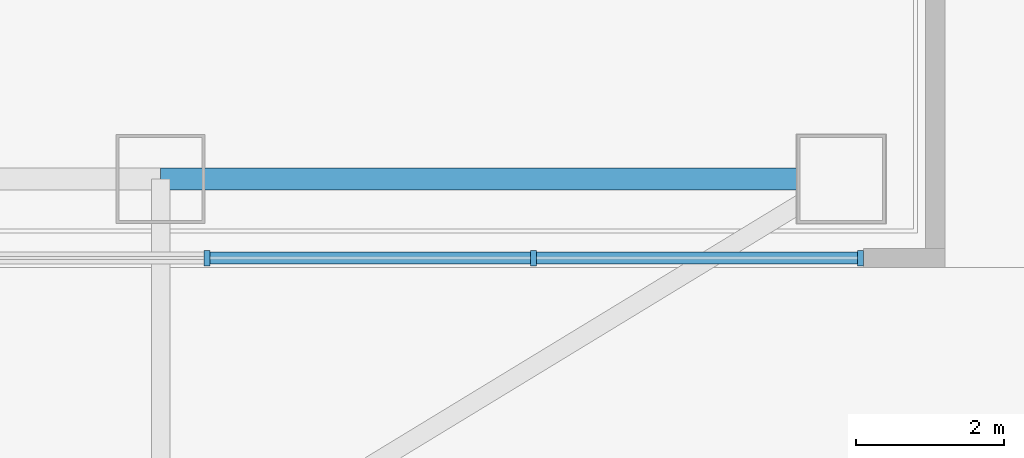
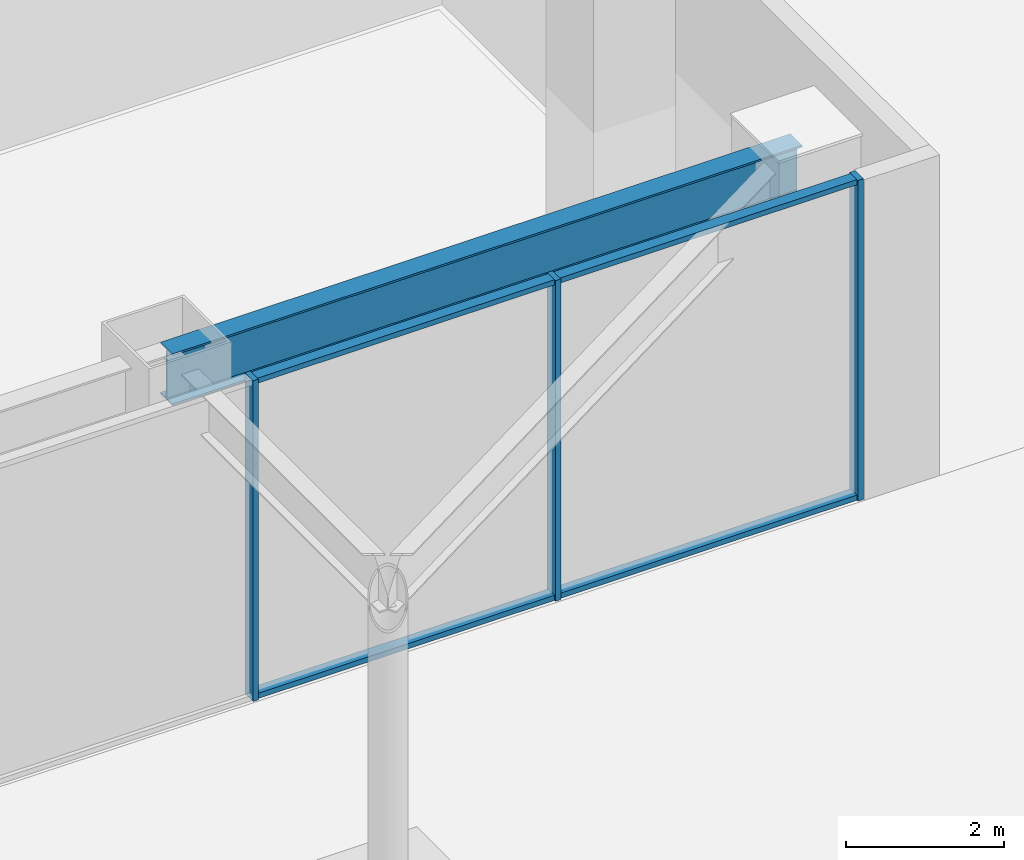
# One storey, part 8 of 18: 7 members, 1 beam, 1 element without a shape of its own.
"""IFC4 building model written with IfcOpenShell, lengths in metres."""

from ifc_helpers import new_model, si_unit, direction, frame, origin, origin_2d, place, context, subcontext, project, spatial, rectangle, i_section, extrude, source, transform, mapped, material, layer, layer_set, material_profile, profile_set, type_object, element, aggregate, save


model = new_model("IFC4")

# Units and contexts
model_context = context("Model", 3, precision=1e-05, world=origin(), true_north=direction((0.0, 1.0)))
body_context = subcontext(model_context, "Body", "Model", "MODEL_VIEW")
ifc_project = project(units=[si_unit("LENGTHUNIT", "METRE"), si_unit("AREAUNIT", "SQUARE_METRE"), si_unit("VOLUMEUNIT", "CUBIC_METRE"), si_unit("PLANEANGLEUNIT", "RADIAN"), si_unit("MASSUNIT", "GRAM", prefix="KILO")], contexts=[model_context])

# Site, building, storey
site_placement = place(None, origin())
site = spatial("IfcSite", under=ifc_project, at=site_placement, CompositionType="ELEMENT")
building_placement = place(site_placement, origin())
building = spatial("IfcBuilding", under=site, at=building_placement, Name="Qianlan Lanfeng Residences", CompositionType="ELEMENT")
storey_placement = place(building_placement, origin())
storey = spatial("IfcBuildingStorey", under=building, at=storey_placement, Name="L00", CompositionType="ELEMENT", Elevation=0.0)

# Beam
ifc_material_1 = material(Name="Steel SN490B", Category="steel")
ifc_material_profile_1 = material_profile(ifc_material_1, i_section(OverallWidth=0.300048828125, OverallDepth=0.800048828125, WebThickness=0.01611328125, FlangeThickness=0.028076171875, at=origin_2d()), Name="H 800x300x16x28")
ifc_profile_set_1 = profile_set([ifc_material_profile_1], Name="Steel SN490B")
beam_type = type_object("IfcBeamType", Name="SG-950", PredefinedType="SPANDREL", material=ifc_profile_set_1)
beam_placement = place(storey_placement, frame((53.0, -7.199951171875, 4.550048828125), z_axis=(1.0, 0.0, 0.0), x_axis=(0.0, 1.0, 0.0)))
element("IfcBeam", 1, at=beam_placement, inside=storey, type_object=beam_type, Name="Structural beam SG-950", PredefinedType="SPANDREL", context=body_context, shape_type="SweptSolid", body=[
    extrude(i_section(OverallWidth=0.300048828125, OverallDepth=0.800048828125, WebThickness=0.01611328125, FlangeThickness=0.028076171875, at=origin_2d()), origin(), (0.0, 0.0, 1.0), 9.199951171875),
])

# Curtain wall, members
ifc_material_2 = material(Name="Anodised Bronze Aluminium 6063-T6", Category="aluminium")
ifc_layer = layer(ifc_material_2, 0.219970703125)
ifc_layer_set = layer_set([ifc_layer], Name="Anodised Bronze Aluminium 6063-T6")
curtain_wall_type = type_object("IfcCurtainWallType", Name="CW-01", PredefinedType="NOTDEFINED", material=ifc_layer_set)
curtain_wall_placement = place(storey_placement, origin())
curtain_wall = element("IfcCurtainWall", 2, at=curtain_wall_placement, inside=storey, type_object=curtain_wall_type, Name="L00 Unitised Curtain Wall CWR-L00-SE (CW-01)", PredefinedType="NOTDEFINED")
ifc_material_profile_2 = material_profile(ifc_material_2, rectangle(XDim=0.080078125, YDim=0.2099609375, at=origin_2d()), Name="ALU MULLION 80x210")
ifc_profile_set_2 = profile_set([ifc_material_profile_2], Name="Anodised Bronze Aluminium 6063-T6")
member_type_1 = type_object("IfcMemberType", Name="CWM-220", PredefinedType="MULLION", material=ifc_profile_set_2)
shared_shape_1 = source(origin(), body_context, "Body", "SweptSolid", [
    extrude(rectangle(XDim=0.080078125, YDim=0.2099609375, at=origin_2d()), origin(), (0.0, 0.0, 1.0), 4.949951171875),
])
member_1_placement = place(storey_placement, frame((53.625732421875, -8.27001953125, 0.0), z_axis=(0.0, 0.0, 1.0), x_axis=(1.0, 0.0, 0.0)))
member_1 = element("IfcMember", 3, at=member_1_placement, type_object=member_type_1, Name="CWR-L00-SE Mullion 6", PredefinedType="MULLION", context=body_context, shape_type="MappedRepresentation", body=[
    mapped(shared_shape_1, transform((0.0, 0.0, 0.0), scale=1.0)),
])
member_2_placement = place(storey_placement, frame((58.04296875, -8.27001953125, 0.0), z_axis=(0.0, 0.0, 1.0), x_axis=(1.0, 0.0, 0.0)))
member_2 = element("IfcMember", 4, at=member_2_placement, type_object=member_type_1, Name="CWR-L00-SE Mullion 7", PredefinedType="MULLION", context=body_context, shape_type="MappedRepresentation", body=[
    mapped(shared_shape_1, transform((0.0, 0.0, 0.0), scale=1.0)),
])
member_3_placement = place(storey_placement, frame((62.4599609375, -8.27001953125, 0.0), z_axis=(0.0, 0.0, 1.0), x_axis=(1.0, 0.0, 0.0)))
member_3 = element("IfcMember", 5, at=member_3_placement, type_object=member_type_1, Name="CWR-L00-SE Mullion 8", PredefinedType="MULLION", context=body_context, shape_type="MappedRepresentation", body=[
    mapped(shared_shape_1, transform((0.0, 0.0, 0.0), scale=1.0)),
])
ifc_material_profile_3 = material_profile(ifc_material_2, rectangle(XDim=0.080078125, YDim=0.159912109375, at=origin_2d()), Name="ALU TRANSOM 80x160")
ifc_profile_set_3 = profile_set([ifc_material_profile_3], Name="Anodised Bronze Aluminium 6063-T6")
member_type_2 = type_object("IfcMemberType", Name="CWT-180", PredefinedType="USERDEFINED", material=ifc_profile_set_3)
shared_shape_2 = source(origin(), body_context, "Body", "SweptSolid", [
    extrude(rectangle(XDim=0.080078125, YDim=0.159912109375, at=origin_2d()), origin(), (0.0, 0.0, 1.0), 4.3369140625),
])
member_4_placement = place(storey_placement, frame((58.0830078125, -8.27001953125, 0.0400390625), z_axis=(1.0, 0.0, 0.0), x_axis=(0.0, 0.0, 1.0)))
member_4 = element("IfcMember", 6, at=member_4_placement, type_object=member_type_2, Name="CWR-L00-SE Transom 7-BOT", ObjectType="TRANSOM", PredefinedType="USERDEFINED", context=body_context, shape_type="MappedRepresentation", body=[
    mapped(shared_shape_2, transform((0.0, 0.0, 0.0), scale=1.0)),
])
member_5_placement = place(storey_placement, frame((58.0830078125, -8.27001953125, 4.909912109375), z_axis=(1.0, 0.0, 0.0), x_axis=(0.0, 0.0, 1.0)))
member_5 = element("IfcMember", 7, at=member_5_placement, type_object=member_type_2, Name="CWR-L00-SE Transom 7-TOP", ObjectType="TRANSOM", PredefinedType="USERDEFINED", context=body_context, shape_type="MappedRepresentation", body=[
    mapped(shared_shape_2, transform((0.0, 0.0, 0.0), scale=1.0)),
])
shared_shape_3 = source(origin(), body_context, "Body", "SweptSolid", [
    extrude(rectangle(XDim=0.080078125, YDim=0.159912109375, at=origin_2d()), origin(), (0.0, 0.0, 1.0), 4.337158203125),
])
member_6_placement = place(storey_placement, frame((53.665771484375, -8.27001953125, 0.0400390625), z_axis=(1.0, 0.0, 0.0), x_axis=(0.0, 0.0, 1.0)))
member_6 = element("IfcMember", 8, at=member_6_placement, type_object=member_type_2, Name="CWR-L00-SE Transom 6-BOT", ObjectType="TRANSOM", PredefinedType="USERDEFINED", context=body_context, shape_type="MappedRepresentation", body=[
    mapped(shared_shape_3, transform((0.0, 0.0, 0.0), scale=1.0)),
])
member_7_placement = place(storey_placement, frame((53.665771484375, -8.27001953125, 4.909912109375), z_axis=(1.0, 0.0, 0.0), x_axis=(0.0, 0.0, 1.0)))
member_7 = element("IfcMember", 9, at=member_7_placement, type_object=member_type_2, Name="CWR-L00-SE Transom 6-TOP", ObjectType="TRANSOM", PredefinedType="USERDEFINED", context=body_context, shape_type="MappedRepresentation", body=[
    mapped(shared_shape_3, transform((0.0, 0.0, 0.0), scale=1.0)),
])
aggregate(curtain_wall, [member_1, member_2, member_3, member_6, member_7, member_4, member_5])

save(model, "model.ifc")
